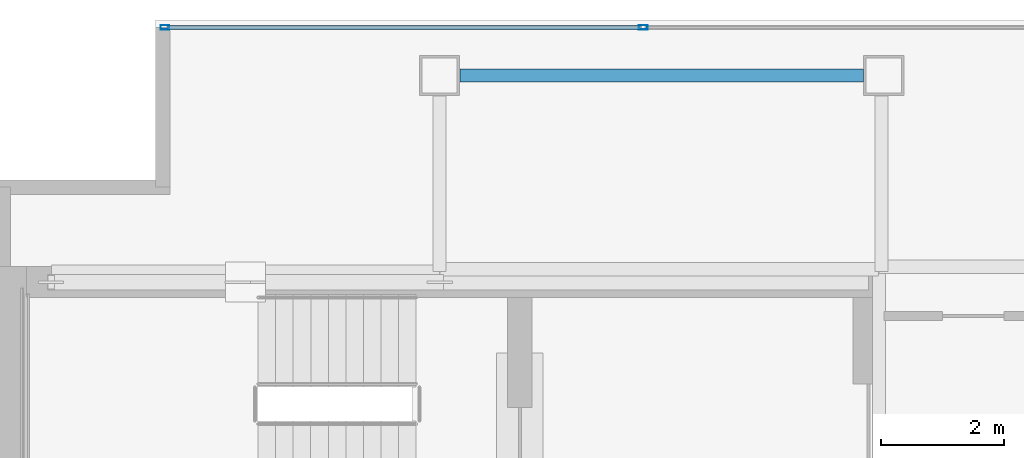
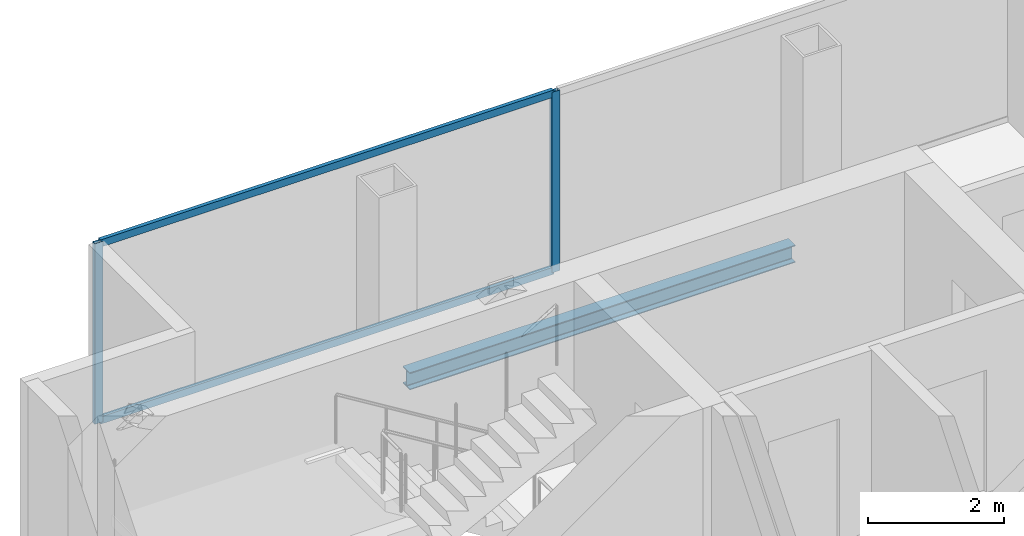
# One storey, part 17 of 23: 4 members, 1 beam, 1 element without a shape of its own.
"""IFC4 building model written with IfcOpenShell, lengths in metres."""

from ifc_helpers import new_model, si_unit, direction, frame, origin, origin_2d, place, context, subcontext, project, spatial, hollow_rectangle, i_section, extrude, material, material_profile, profile_set, type_object, element, aggregate, save


model = new_model("IFC4")

# Units and contexts
model_context = context("Model", 3, precision=1e-05, world=origin(), true_north=direction((0.0, 1.0)))
body_context = subcontext(model_context, "Body", "Model", "MODEL_VIEW")
ifc_project = project(units=[si_unit("LENGTHUNIT", "METRE"), si_unit("AREAUNIT", "SQUARE_METRE"), si_unit("VOLUMEUNIT", "CUBIC_METRE"), si_unit("PLANEANGLEUNIT", "RADIAN"), si_unit("MASSUNIT", "GRAM", prefix="KILO")], contexts=[model_context])

# Site, building, storey
site_placement = place(None, origin())
site = spatial("IfcSite", under=ifc_project, at=site_placement, CompositionType="ELEMENT")
building_placement = place(site_placement, origin())
building = spatial("IfcBuilding", under=site, at=building_placement, Name="Cobrela Telecom Tower", CompositionType="ELEMENT")
storey_placement = place(building_placement, frame((0.0, 0.0, 262.14990234375)))
storey = spatial("IfcBuildingStorey", under=building, at=storey_placement, Name="L68", CompositionType="ELEMENT", Elevation=262.14990234375)

# Beam
ifc_material_1 = material(Name="Steel ASTM A992 Grade 50", Category="steel")
ifc_material_profile_1 = material_profile(ifc_material_1, i_section(OverallWidth=0.205078125, OverallDepth=0.31005859375, WebThickness=0.009521484375, FlangeThickness=0.016357421875, FilletRadius=0.010986328125, at=origin_2d()), Name="W12X50")
ifc_profile_set_1 = profile_set([ifc_material_profile_1], Name="Steel ASTM A992 Grade 50")
beam_type = type_object("IfcBeamType", Name="BM-SPAND-07", PredefinedType="SPANDREL", material=ifc_profile_set_1)
beam_placement = place(storey_placement, frame((7.530029296875, 39.10009765625, -0.414794921875), z_axis=(1.0, 0.0, 0.0), x_axis=(0.0, 1.0, 0.0)))
element("IfcBeam", 1, at=beam_placement, inside=storey, type_object=beam_type, Name="L68 Perimeter Spandrel X19", PredefinedType="SPANDREL", context=body_context, shape_type="SweptSolid", body=[
    extrude(i_section(OverallWidth=0.205078125, OverallDepth=0.31005859375, WebThickness=0.009521484375, FlangeThickness=0.016357421875, FilletRadius=0.010986328125, at=origin_2d()), origin(), (0.0, 0.0, 1.0), 6.5400390625),
])

# Curtain wall, members
ifc_material_2 = material(Name="Anodized Bronze Aluminium 6063-T6", Category="aluminium")
curtain_wall_type = type_object("IfcCurtainWallType", Name="CW-SYS-OFF-HI", PredefinedType="USERDEFINED", material=ifc_material_2)
curtain_wall_placement = place(storey_placement, origin())
curtain_wall = element("IfcCurtainWall", 2, at=curtain_wall_placement, inside=storey, type_object=curtain_wall_type, Name="L68 Unitised Bronze Curtain Wall 05", ObjectType="UNITISED CURTAIN WALL", PredefinedType="USERDEFINED")
ifc_material_profile_2 = material_profile(ifc_material_2, hollow_rectangle(XDim=0.070068359375, YDim=0.139892578125, WallThickness=0.00390625, at=origin_2d()), Name="ALU 70x140x4")
ifc_profile_set_2 = profile_set([ifc_material_profile_2], Name="Anodized Bronze Aluminium 6063-T6")
member_type_1 = type_object("IfcMemberType", Name="CW-SYS-OFF-HI-MUL", PredefinedType="MULLION", material=ifc_profile_set_2)
member_1_placement = place(storey_placement, frame((2.7451171875, 39.8798828125, 0.0), z_axis=(0.0, 0.0, 1.0), x_axis=(0.0, 1.0, 0.0)))
member_1 = element("IfcMember", 3, at=member_1_placement, type_object=member_type_1, Name="CW-OFF-HI mullion 1", PredefinedType="MULLION", context=body_context, shape_type="SweptSolid", body=[
    extrude(hollow_rectangle(XDim=0.070068359375, YDim=0.139892578125, WallThickness=0.00390625, at=origin_2d()), origin(), (0.0, 0.0, 1.0), 3.239990234375),
])
member_2_placement = place(storey_placement, frame((10.5, 39.8798828125, 0.0), z_axis=(0.0, 0.0, 1.0), x_axis=(0.0, 1.0, 0.0)))
member_2 = element("IfcMember", 4, at=member_2_placement, type_object=member_type_1, Name="CW-OFF-HI mullion 2", PredefinedType="MULLION", context=body_context, shape_type="SweptSolid", body=[
    extrude(hollow_rectangle(XDim=0.070068359375, YDim=0.139892578125, WallThickness=0.00390625, at=origin_2d()), origin(), (0.0, 0.0, 1.0), 3.239990234375),
])
ifc_material_profile_3 = material_profile(ifc_material_2, hollow_rectangle(XDim=0.06494140625, YDim=0.1298828125, WallThickness=0.00390625, at=origin_2d()), Name="ALU 65x130x4")
ifc_profile_set_3 = profile_set([ifc_material_profile_3], Name="Anodized Bronze Aluminium 6063-T6")
member_type_2 = type_object("IfcMemberType", Name="CW-SYS-OFF-HI-TRN", PredefinedType="USERDEFINED", material=ifc_profile_set_3)
member_3_placement = place(storey_placement, frame((2.780029296875, 39.8798828125, 0.03271484375), z_axis=(1.0, 0.0, 0.0), x_axis=(0.0, 1.0, 0.0)))
member_3 = element("IfcMember", 5, at=member_3_placement, type_object=member_type_2, Name="CW-OFF-HI transom 1.1", ObjectType="TRANSOM", PredefinedType="USERDEFINED", context=body_context, shape_type="SweptSolid", body=[
    extrude(hollow_rectangle(XDim=0.06494140625, YDim=0.1298828125, WallThickness=0.00390625, at=origin_2d()), origin(), (0.0, 0.0, 1.0), 7.68505859375),
])
member_4_placement = place(storey_placement, frame((2.780029296875, 39.8798828125, 3.20751953125), z_axis=(1.0, 0.0, 0.0), x_axis=(0.0, 1.0, 0.0)))
member_4 = element("IfcMember", 6, at=member_4_placement, type_object=member_type_2, Name="CW-OFF-HI transom 1.2", ObjectType="TRANSOM", PredefinedType="USERDEFINED", context=body_context, shape_type="SweptSolid", body=[
    extrude(hollow_rectangle(XDim=0.06494140625, YDim=0.1298828125, WallThickness=0.00390625, at=origin_2d()), origin(), (0.0, 0.0, 1.0), 7.68505859375),
])
aggregate(curtain_wall, [member_1, member_2, member_3, member_4])

save(model, "model.ifc")
